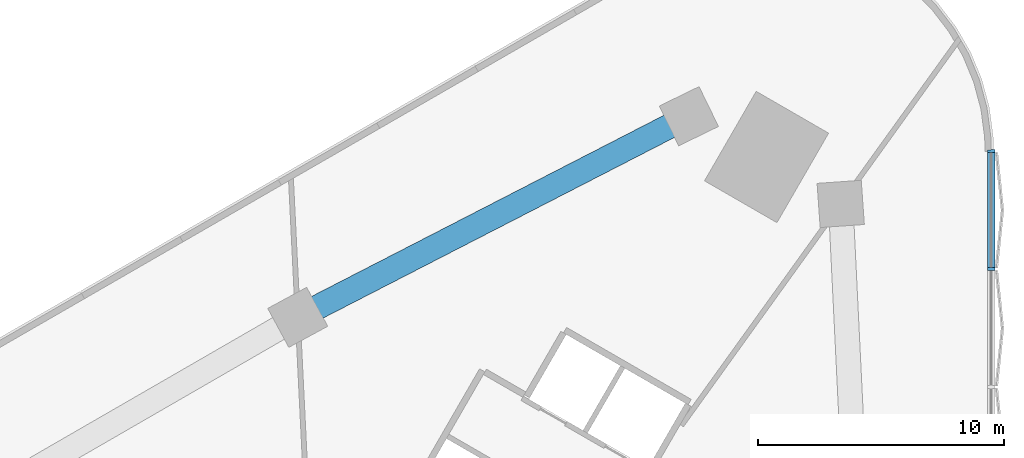
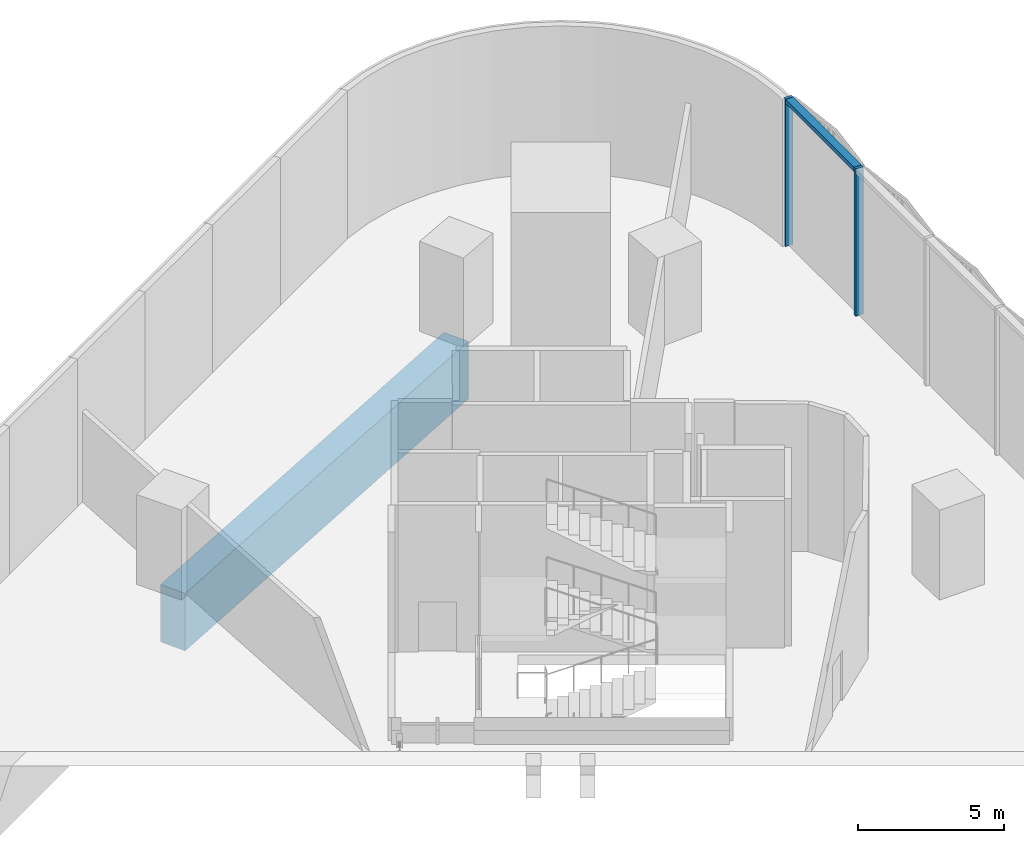
# One storey, part 9 of 32: 3 members, 1 beam, 1 element without a shape of its own.
"""IFC4 building model written with IfcOpenShell, lengths in metres."""

from ifc_helpers import new_model, si_unit, direction, frame, origin, origin_2d, place, context, subcontext, project, spatial, rectangle, extrude, material, material_profile, profile_set, type_object, element, aggregate, save


model = new_model("IFC4")

# Units and contexts
model_context = context("Model", 3, precision=1e-05, world=origin(), true_north=direction((0.0, 1.0)))
body_context = subcontext(model_context, "Body", "Model", "MODEL_VIEW")
ifc_project = project(units=[si_unit("LENGTHUNIT", "METRE"), si_unit("AREAUNIT", "SQUARE_METRE"), si_unit("VOLUMEUNIT", "CUBIC_METRE"), si_unit("PLANEANGLEUNIT", "RADIAN"), si_unit("MASSUNIT", "GRAM", prefix="KILO")], contexts=[model_context])

# Site, building, storey
site_placement = place(None, origin())
site = spatial("IfcSite", under=ifc_project, at=site_placement, CompositionType="ELEMENT")
building_placement = place(site_placement, origin())
building = spatial("IfcBuilding", under=site, at=building_placement, Name="Tamra Quay Hotel Tower", CompositionType="ELEMENT")
storey_placement = place(building_placement, frame((0.0, 0.0, 7.5)))
storey = spatial("IfcBuildingStorey", under=building, at=storey_placement, Name="L01", CompositionType="ELEMENT", Elevation=7.5)

# Curtain wall, members
ifc_material_1 = material(Name="Aluminium 6063 anodised dark grey", Category="aluminium")
curtain_wall_type = type_object("IfcCurtainWallType", Name="CW4 CURTAIN WALL", PredefinedType="NOTDEFINED", material=ifc_material_1)
curtain_wall_placement = place(storey_placement, origin())
curtain_wall = element("IfcCurtainWall", 1, at=curtain_wall_placement, inside=storey, type_object=curtain_wall_type, Name="CW4 east face L01", PredefinedType="NOTDEFINED")
ifc_material_profile_1 = material_profile(ifc_material_1, rectangle(XDim=0.300048828125, YDim=0.1201171875, at=origin_2d()), Name="MULLION 120X300")
ifc_profile_set_1 = profile_set([ifc_material_profile_1], Name="Aluminium 6063 anodised dark grey")
member_type_1 = type_object("IfcMemberType", Name="MULLION CW4", PredefinedType="MULLION", material=ifc_profile_set_1)
member_1_placement = place(storey_placement, frame((27.0, 26.38037109375, 0.0), z_axis=(0.0, 0.0, 1.0), x_axis=(1.0, 0.0, 0.0)))
member_1 = element("IfcMember", 2, at=member_1_placement, type_object=member_type_1, Name="CW4 mullion L01.E.17", PredefinedType="MULLION", context=body_context, shape_type="SweptSolid", body=[
    extrude(rectangle(XDim=0.300048828125, YDim=0.1201171875, at=origin_2d()), origin(), (0.0, 0.0, 1.0), 6.14990234375),
])
member_2_placement = place(storey_placement, frame((27.0, 31.177001953125, 0.0), z_axis=(0.0, 0.0, 1.0), x_axis=(0.99986613791, 0.016361731626, 0.0)))
member_2 = element("IfcMember", 3, at=member_2_placement, type_object=member_type_1, Name="CW4 mullion L01.E.18", PredefinedType="MULLION", context=body_context, shape_type="SweptSolid", body=[
    extrude(rectangle(XDim=0.300048828125, YDim=0.1201171875, at=origin_2d()), origin(), (0.0, 0.0, 1.0), 6.14990234375),
])

# Beam
ifc_material_2 = material(Name="Concrete M60", Category="concrete")
ifc_material_profile_2 = material_profile(ifc_material_2, rectangle(XDim=1.0, YDim=2.39990234375, at=origin_2d()), Name="PODIUM RING GIRDER RC 1000x2400")
ifc_profile_set_2 = profile_set([ifc_material_profile_2], Name="Concrete M60")
beam_type = type_object("IfcBeamType", Name="PODIUM RING GIRDER RC 1000x2400", PredefinedType="BEAM", material=ifc_profile_set_2)
beam_placement = place(storey_placement, frame((14.70458984375, 32.5986328125, -1.60009765625), z_axis=(-0.889334920836, -0.457256381673, 0.0), x_axis=(0.457256381673, -0.889334920836, 0.0)))
element("IfcBeam", 4, at=beam_placement, inside=storey, type_object=beam_type, Name="BM-PG004-L01", PredefinedType="BEAM", context=body_context, shape_type="SweptSolid", body=[
    extrude(rectangle(XDim=1.0, YDim=2.39990234375, at=origin_2d()), origin(), (0.0, 0.0, 1.0), 17.880615234375),
])

# Member
ifc_material_profile_3 = material_profile(ifc_material_1, rectangle(XDim=0.300048828125, YDim=0.179931640625, at=origin_2d()), Name="TRANSOM 300X180")
ifc_profile_set_3 = profile_set([ifc_material_profile_3], Name="Aluminium 6063 anodised dark grey")
member_type_2 = type_object("IfcMemberType", Name="TRANSOM CW4", PredefinedType="USERDEFINED", material=ifc_profile_set_3)
member_3_placement = place(storey_placement, frame((27.0, 26.4404296875, 6.06005859375), z_axis=(0.0, 1.0, 0.0), x_axis=(-1.0, 0.0, 0.0)))
member_3 = element("IfcMember", 5, at=member_3_placement, type_object=member_type_2, Name="CW4 transom L01.E.17", ObjectType="TRANSOM", PredefinedType="USERDEFINED", context=body_context, shape_type="SweptSolid", body=[
    extrude(rectangle(XDim=0.300048828125, YDim=0.179931640625, at=origin_2d()), origin(), (0.0, 0.0, 1.0), 4.676513671875),
])

aggregate(curtain_wall, [member_1, member_3, member_2])

save(model, "model.ifc")
